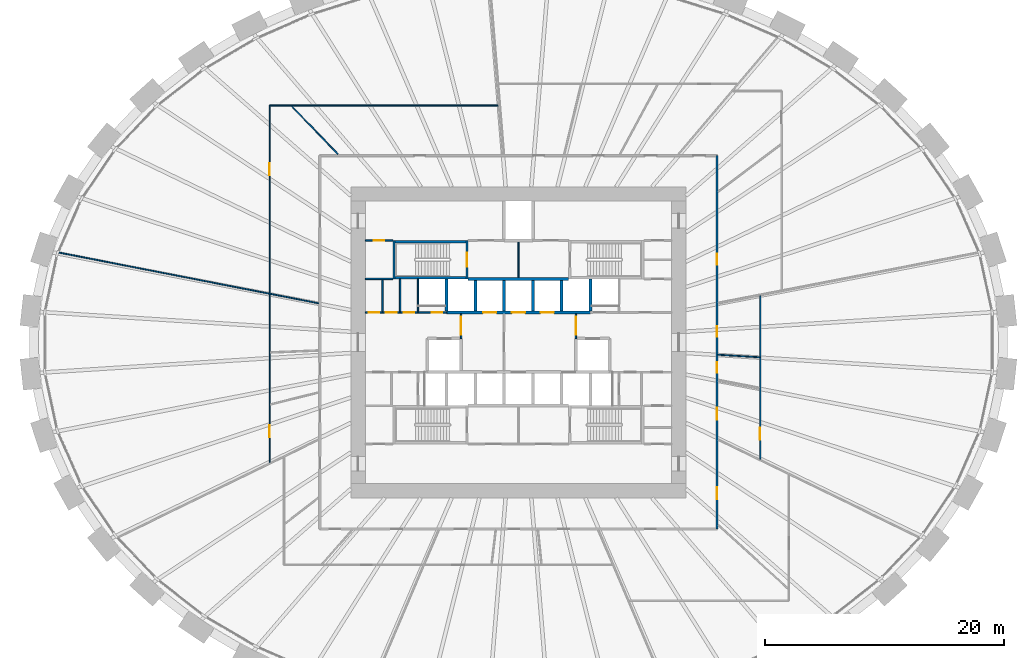
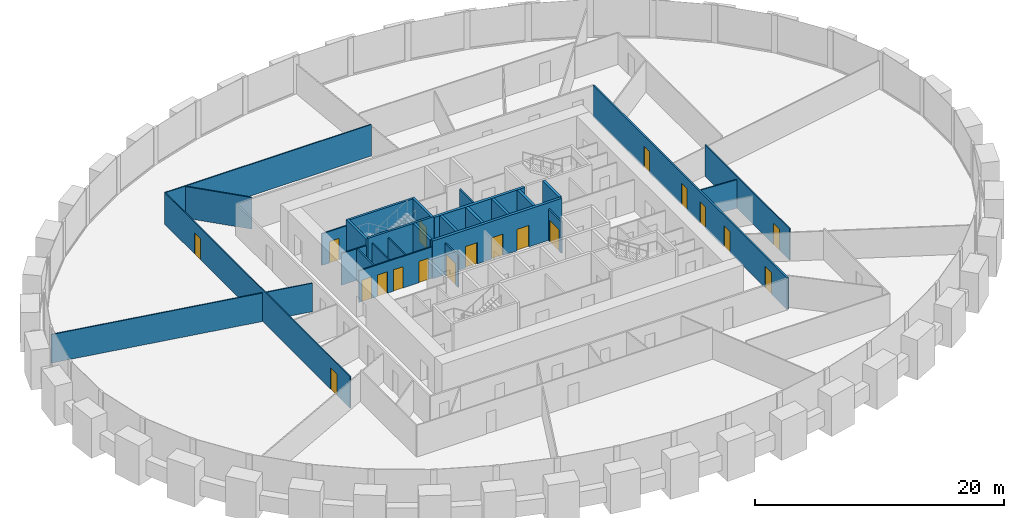
# One storey, part 8 of 11: 28 walls, 19 doors, 19 openings.
"""IFC4 building model written with IfcOpenShell, lengths in metres."""

from ifc_helpers import new_model, si_unit, direction, frame, frame_2d, origin, place, context, subcontext, project, spatial, rectangle, extrude, source, transform, mapped, material, layer, layer_set, type_object, element, fill, save


model = new_model("IFC4")

# Units and contexts
model_context = context("Model", 3, precision=1e-05, world=origin(), true_north=direction((0.0, 1.0)))
body_context = subcontext(model_context, "Body", "Model", "MODEL_VIEW")
ifc_project = project(units=[si_unit("LENGTHUNIT", "METRE"), si_unit("AREAUNIT", "SQUARE_METRE"), si_unit("VOLUMEUNIT", "CUBIC_METRE"), si_unit("PLANEANGLEUNIT", "RADIAN"), si_unit("MASSUNIT", "GRAM", prefix="KILO")], contexts=[model_context])

# Site, building, storey
site_placement = place(None, origin())
site = spatial("IfcSite", under=ifc_project, at=site_placement, CompositionType="ELEMENT")
building_placement = place(site_placement, origin())
building = spatial("IfcBuilding", under=site, at=building_placement, Name="Embergate Tower", CompositionType="ELEMENT")
storey_placement = place(building_placement, frame((0.0, 0.0, 77.60009765625)))
storey = spatial("IfcBuildingStorey", under=building, at=storey_placement, Name="L15", CompositionType="ELEMENT", Elevation=77.60009765625)

# Walls
ifc_material_1 = material(Name="Concrete C50", Category="concrete")
ifc_layer_1 = layer(ifc_material_1, 0.25)
ifc_layer_set_1 = layer_set([ifc_layer_1], Name="Concrete C50")
wall_type_1 = type_object("IfcWallType", Name="Hoistway wall reinforced concrete 250", PredefinedType="SHEAR", material=ifc_layer_set_1)
shared_shape_1 = source(origin(), body_context, "Body", "SweptSolid", [
    extrude(rectangle(XDim=2.675048828125, YDim=0.25, at=frame_2d((1.33740234375, 0.0))), origin(), (0.0, 0.0, 1.0), 3.699951171875),
])
for number, where, z_axis, x_axis, name in (
    (1, (-6.0, 2.625, 0.0), (0.0, 0.0, 1.0), (0.0, 1.0, 0.0), "HW-1 wall"),
    (2, (6.0, 2.625, 0.0), (0.0, 0.0, 1.0), (0.0, 1.0, 0.0), "HW-1 wall"),
):
    element("IfcWall", number, at=place(storey_placement, frame(where, z_axis=z_axis, x_axis=x_axis)), inside=storey, type_object=wall_type_1, Name=name, PredefinedType="SHEAR", context=body_context, shape_type="MappedRepresentation", body=[
        mapped(shared_shape_1, transform((0.0, 0.0, 0.0))),
    ])
ifc_layer_2 = layer(ifc_material_1, 0.199951171875)
ifc_layer_set_2 = layer_set([ifc_layer_2], Name="Concrete C50")
wall_type_2 = type_object("IfcWallType", Name="Stair enclosure wall reinforced concrete 250", PredefinedType="SHEAR", material=ifc_layer_set_2)
shared_shape_2 = source(origin(), body_context, "Body", "SweptSolid", [
    extrude(rectangle(XDim=6.300048828125, YDim=0.199951171875, at=frame_2d((3.14990234375, 0.0))), origin(), (0.0, 0.0, 1.0), 3.699951171875),
])
for number, where, z_axis, x_axis, name in (
    (3, (-4.199951171875, 5.39990234375, 0.0), (0.0, 0.0, 1.0), (-1.0, 0.0, 0.0), "SE-1 wall"),
    (4, (-4.199951171875, 8.39990234375, 0.0), (0.0, 0.0, 1.0), (-1.0, 0.0, 0.0), "SE-1 wall"),
):
    element("IfcWall", number, at=place(storey_placement, frame(where, z_axis=z_axis, x_axis=x_axis)), inside=storey, type_object=wall_type_2, Name=name, PredefinedType="SHEAR", context=body_context, shape_type="MappedRepresentation", body=[
        mapped(shared_shape_2, transform((0.0, 0.0, 0.0))),
    ])
shared_shape_3 = source(origin(), body_context, "Body", "SweptSolid", [
    extrude(rectangle(XDim=2.550048828125, YDim=0.25, at=frame_2d((1.27490234375, 0.0))), origin(), (0.0, 0.0, 1.0), 3.699951171875),
])
for number, where, z_axis, x_axis, name in (
    (5, (-3.60009765625, 2.625, 0.0), (0.0, 0.0, 1.0), (0.0, 1.0, 0.0), "HW-1 wall"),
    (6, (-1.199951171875, 2.625, 0.0), (0.0, 0.0, 1.0), (0.0, 1.0, 0.0), "HW-1 wall"),
    (7, (1.199951171875, 2.625, 0.0), (0.0, 0.0, 1.0), (0.0, 1.0, 0.0), "HW-1 wall"),
    (8, (3.60009765625, 2.625, 0.0), (0.0, 0.0, 1.0), (0.0, 1.0, 0.0), "HW-1 wall"),
):
    element("IfcWall", number, at=place(storey_placement, frame(where, z_axis=z_axis, x_axis=x_axis)), inside=storey, type_object=wall_type_1, Name=name, PredefinedType="SHEAR", context=body_context, shape_type="MappedRepresentation", body=[
        mapped(shared_shape_3, transform((0.0, 0.0, 0.0))),
    ])

# Wall, openings, doors
shared_shape_4 = source(origin(), body_context, "Body", "SweptSolid", [
    extrude(rectangle(XDim=12.0, YDim=0.25, at=frame_2d((6.0, 0.0))), origin(), (0.0, 0.0, 1.0), 3.699951171875),
])
wall_1_placement = place(storey_placement, frame((-6.0, 2.5, 0.0), z_axis=(0.0, 0.0, 1.0), x_axis=(1.0, 0.0, 0.0)))
wall_1 = element("IfcWall", 9, at=wall_1_placement, inside=storey, type_object=wall_type_1, Name="HW-1 wall", PredefinedType="SHEAR", context=body_context, shape_type="MappedRepresentation", body=[
    mapped(shared_shape_4, transform((0.0, 0.0, 0.0))),
])
shared_shape_5 = source(origin(), body_context, "Body", "SweptSolid", [
    extrude(rectangle(XDim=1.10009765625, YDim=2.10009765625, at=frame_2d((0.550048828125, 1.050048828125))), frame((0.0, 0.135009765625, 0.0), z_axis=(0.0, -1.0, 0.0), x_axis=(1.0, 0.0, 0.0)), (0.0, 0.0, 1.0), 0.27001953125),
])
opening_1_placement = place(wall_1_placement, frame((3.050048828125, 0.0, 0.0)))
opening_1 = element("IfcOpeningElement", 10, at=opening_1_placement, cuts=wall_1, Name="Opening LD", PredefinedType="OPENING", context=body_context, shape_type="MappedRepresentation", body=[
    mapped(shared_shape_5, transform((0.0, 0.0, 0.0))),
])
opening_2_placement = place(wall_1_placement, frame((5.449951171875, 0.0, 0.0)))
opening_2 = element("IfcOpeningElement", 11, at=opening_2_placement, cuts=wall_1, Name="Opening LD", PredefinedType="OPENING", context=body_context, shape_type="MappedRepresentation", body=[
    mapped(shared_shape_5, transform((0.0, 0.0, 0.0))),
])
opening_3_placement = place(wall_1_placement, frame((7.85009765625, 0.0, 0.0)))
opening_3 = element("IfcOpeningElement", 12, at=opening_3_placement, cuts=wall_1, Name="Opening LD", PredefinedType="OPENING", context=body_context, shape_type="MappedRepresentation", body=[
    mapped(shared_shape_5, transform((0.0, 0.0, 0.0))),
])
ifc_material_2 = material(Name="Landing door sliding 1100")
door_type_1 = type_object("IfcDoorType", Name="Landing door sliding 1100", OperationType="SLIDING_TO_LEFT", PredefinedType="DOOR", material=ifc_material_2)
shared_shape_6 = source(origin(), body_context, "Body", "SweptSolid", [
    extrude(rectangle(XDim=1.10009765625, YDim=2.10009765625, at=frame_2d((0.550048828125, 1.050048828125))), frame((0.0, 0.02490234375, 0.0), z_axis=(0.0, -1.0, 0.0), x_axis=(1.0, 0.0, 0.0)), (0.0, 0.0, 1.0), 0.050048828125),
])
door_1_placement = place(opening_1_placement, origin())
door_1 = element("IfcDoor", 13, at=door_1_placement, inside=storey, type_object=door_type_1, Name="LD door", OperationType="SLIDING_TO_RIGHT", OverallHeight=2.10009765625, OverallWidth=1.10009765625, PredefinedType="DOOR", context=body_context, shape_type="MappedRepresentation", body=[
    mapped(shared_shape_6, transform((0.0, 0.0, 0.0))),
])
fill(opening_1, door_1)
door_2_placement = place(opening_2_placement, origin())
door_2 = element("IfcDoor", 14, at=door_2_placement, inside=storey, type_object=door_type_1, Name="LD door", OperationType="SLIDING_TO_LEFT", OverallHeight=2.10009765625, OverallWidth=1.10009765625, PredefinedType="DOOR", context=body_context, shape_type="MappedRepresentation", body=[
    mapped(shared_shape_6, transform((0.0, 0.0, 0.0))),
])
fill(opening_2, door_2)
door_3_placement = place(opening_3_placement, origin())
door_3 = element("IfcDoor", 15, at=door_3_placement, inside=storey, type_object=door_type_1, Name="LD door", OperationType="SLIDING_TO_LEFT", OverallHeight=2.10009765625, OverallWidth=1.10009765625, PredefinedType="DOOR", context=body_context, shape_type="MappedRepresentation", body=[
    mapped(shared_shape_6, transform((0.0, 0.0, 0.0))),
])
fill(opening_3, door_3)

# Wall
shared_shape_7 = source(origin(), body_context, "Body", "SweptSolid", [
    extrude(rectangle(XDim=8.39990234375, YDim=0.25, at=frame_2d((4.199951171875, 0.0))), origin(), (0.0, 0.0, 1.0), 3.699951171875),
])
wall_2_placement = place(storey_placement, frame((4.199951171875, 5.300048828125, 0.0), z_axis=(0.0, 0.0, 1.0), x_axis=(-1.0, 0.0, 0.0)))
element("IfcWall", 16, at=wall_2_placement, inside=storey, type_object=wall_type_1, Name="HW-1 wall", PredefinedType="SHEAR", context=body_context, shape_type="MappedRepresentation", body=[
    mapped(shared_shape_7, transform((0.0, 0.0, 0.0))),
])

# Wall, opening, door
shared_shape_8 = source(origin(), body_context, "Body", "SweptSolid", [
    extrude(rectangle(XDim=3.199951171875, YDim=0.199951171875, at=frame_2d((1.60009765625, 0.0))), origin(), (0.0, 0.0, 1.0), 3.699951171875),
])
wall_3_placement = place(storey_placement, frame((-4.300048828125, 5.300048828125, 0.0), z_axis=(0.0, 0.0, 1.0), x_axis=(0.0, 1.0, 0.0)))
wall_3 = element("IfcWall", 17, at=wall_3_placement, inside=storey, type_object=wall_type_2, Name="SE-1 wall", PredefinedType="SHEAR", context=body_context, shape_type="MappedRepresentation", body=[
    mapped(shared_shape_8, transform((0.0, 0.0, 0.0))),
])
shared_shape_9 = source(origin(), body_context, "Body", "SweptSolid", [
    extrude(rectangle(XDim=1.199951171875, YDim=2.10009765625, at=frame_2d((0.60009765625, 1.050048828125))), frame((0.0, 0.10986328125, 0.0), z_axis=(0.0, -1.0, 0.0), x_axis=(1.0, 0.0, 0.0)), (0.0, 0.0, 1.0), 0.219970703125),
])
opening_4_placement = place(wall_3_placement, frame((1.0, 0.0, 0.0)))
opening_4 = element("IfcOpeningElement", 18, at=opening_4_placement, cuts=wall_3, Name="Opening IF-2", PredefinedType="OPENING", context=body_context, shape_type="MappedRepresentation", body=[
    mapped(shared_shape_9, transform((0.0, 0.0, 0.0))),
])
ifc_material_3 = material(Name="Stair enclosure door 1200")
door_type_2 = type_object("IfcDoorType", Name="Stair enclosure door 1200", OperationType="SINGLE_SWING_LEFT", PredefinedType="DOOR", material=ifc_material_3)
shared_shape_10 = source(origin(), body_context, "Body", "SweptSolid", [
    extrude(rectangle(XDim=1.199951171875, YDim=2.10009765625, at=frame_2d((0.60009765625, 1.050048828125))), frame((0.0, 0.02490234375, 0.0), z_axis=(0.0, -1.0, 0.0), x_axis=(1.0, 0.0, 0.0)), (0.0, 0.0, 1.0), 0.050048828125),
])
door_4_placement = place(opening_4_placement, origin())
door_4 = element("IfcDoor", 19, at=door_4_placement, inside=storey, type_object=door_type_2, Name="IF-2 door", OperationType="SINGLE_SWING_RIGHT", OverallHeight=2.10009765625, OverallWidth=1.199951171875, PredefinedType="DOOR", context=body_context, shape_type="MappedRepresentation", body=[
    mapped(shared_shape_10, transform((0.0, 0.0, 0.0))),
])
fill(opening_4, door_4)

# Wall
wall_4_placement = place(storey_placement, frame((-10.39990234375, 8.5, 0.0), z_axis=(0.0, 0.0, 1.0), x_axis=(0.0, -1.0, 0.0)))
element("IfcWall", 20, at=wall_4_placement, inside=storey, type_object=wall_type_2, Name="SE-1 wall", PredefinedType="SHEAR", context=body_context, shape_type="MappedRepresentation", body=[
    mapped(shared_shape_8, transform((0.0, 0.0, 0.0))),
])

# Wall, openings, doors
ifc_material_4 = material(Name="Core partition blockwork 120")
ifc_layer_3 = layer(ifc_material_4, 0.1201171875)
ifc_layer_set_3 = layer_set([ifc_layer_3], Name="Core partition blockwork 120")
wall_type_3 = type_object("IfcWallType", Name="Core partition blockwork 120", PredefinedType="PARTITIONING", material=ifc_layer_set_3)
shared_shape_11 = source(origin(), body_context, "Body", "SweptSolid", [
    extrude(rectangle(XDim=6.800048828125, YDim=0.1201171875, at=frame_2d((3.39990234375, 0.0))), origin(), (0.0, 0.0, 1.0), 3.099853515625),
])
wall_5_placement = place(storey_placement, frame((-12.800048828125, 2.5, 0.0), z_axis=(0.0, 0.0, 1.0), x_axis=(1.0, 0.0, 0.0)))
wall_5 = element("IfcWall", 21, at=wall_5_placement, inside=storey, type_object=wall_type_3, Name="IP-3 wall", PredefinedType="PARTITIONING", context=body_context, shape_type="MappedRepresentation", body=[
    mapped(shared_shape_11, transform((0.0, 0.0, 0.0))),
])
shared_shape_12 = source(origin(), body_context, "Body", "SweptSolid", [
    extrude(rectangle(XDim=0.89990234375, YDim=2.10009765625, at=frame_2d((0.449951171875, 1.050048828125))), frame((0.0, 0.070068359375, 0.0), z_axis=(0.0, -1.0, 0.0), x_axis=(1.0, 0.0, 0.0)), (0.0, 0.0, 1.0), 0.14013671875),
])
opening_5_placement = place(wall_5_placement, frame((5.550048828125, 0.0, 0.0)))
opening_5 = element("IfcOpeningElement", 22, at=opening_5_placement, cuts=wall_5, Name="Opening ID-1", PredefinedType="OPENING", context=body_context, shape_type="MappedRepresentation", body=[
    mapped(shared_shape_12, transform((0.0, 0.0, 0.0))),
])
opening_6_placement = place(wall_5_placement, frame((0.27587890625, 0.0, 0.0)))
opening_6 = element("IfcOpeningElement", 23, at=opening_6_placement, cuts=wall_5, Name="Opening ID-1", PredefinedType="OPENING", context=body_context, shape_type="MappedRepresentation", body=[
    mapped(shared_shape_12, transform((0.0, 0.0, 0.0))),
])
opening_7_placement = place(wall_5_placement, frame((1.72802734375, 0.0, 0.0)))
opening_7 = element("IfcOpeningElement", 24, at=opening_7_placement, cuts=wall_5, Name="Opening ID-1", PredefinedType="OPENING", context=body_context, shape_type="MappedRepresentation", body=[
    mapped(shared_shape_12, transform((0.0, 0.0, 0.0))),
])
opening_8_placement = place(wall_5_placement, frame((3.201904296875, 0.0, 0.0)))
opening_8 = element("IfcOpeningElement", 25, at=opening_8_placement, cuts=wall_5, Name="Opening ID-1", PredefinedType="OPENING", context=body_context, shape_type="MappedRepresentation", body=[
    mapped(shared_shape_12, transform((0.0, 0.0, 0.0))),
])
ifc_material_5 = material(Name="Interior door 900")
door_type_3 = type_object("IfcDoorType", Name="Interior door 900", OperationType="SINGLE_SWING_LEFT", PredefinedType="DOOR", material=ifc_material_5)
shared_shape_13 = source(origin(), body_context, "Body", "SweptSolid", [
    extrude(rectangle(XDim=0.89990234375, YDim=2.10009765625, at=frame_2d((0.449951171875, 1.050048828125))), frame((0.0, 0.02490234375, 0.0), z_axis=(0.0, -1.0, 0.0), x_axis=(1.0, 0.0, 0.0)), (0.0, 0.0, 1.0), 0.050048828125),
])
door_5_placement = place(opening_5_placement, origin())
door_5 = element("IfcDoor", 26, at=door_5_placement, inside=storey, type_object=door_type_3, Name="ID-1 door", OperationType="SINGLE_SWING_RIGHT", OverallHeight=2.10009765625, OverallWidth=0.89990234375, PredefinedType="DOOR", context=body_context, shape_type="MappedRepresentation", body=[
    mapped(shared_shape_13, transform((0.0, 0.0, 0.0))),
])
fill(opening_5, door_5)
door_6_placement = place(opening_6_placement, origin())
door_6 = element("IfcDoor", 27, at=door_6_placement, inside=storey, type_object=door_type_3, Name="ID-1 door", OperationType="SINGLE_SWING_RIGHT", OverallHeight=2.10009765625, OverallWidth=0.89990234375, PredefinedType="DOOR", context=body_context, shape_type="MappedRepresentation", body=[
    mapped(shared_shape_13, transform((0.0, 0.0, 0.0))),
])
fill(opening_6, door_6)
door_7_placement = place(opening_7_placement, origin())
door_7 = element("IfcDoor", 28, at=door_7_placement, inside=storey, type_object=door_type_3, Name="ID-1 door", OperationType="SINGLE_SWING_RIGHT", OverallHeight=2.10009765625, OverallWidth=0.89990234375, PredefinedType="DOOR", context=body_context, shape_type="MappedRepresentation", body=[
    mapped(shared_shape_13, transform((0.0, 0.0, 0.0))),
])
fill(opening_7, door_7)
door_8_placement = place(opening_8_placement, origin())
door_8 = element("IfcDoor", 29, at=door_8_placement, inside=storey, type_object=door_type_3, Name="ID-1 door", OperationType="SINGLE_SWING_LEFT", OverallHeight=2.10009765625, OverallWidth=0.89990234375, PredefinedType="DOOR", context=body_context, shape_type="MappedRepresentation", body=[
    mapped(shared_shape_13, transform((0.0, 0.0, 0.0))),
])
fill(opening_8, door_8)

# Walls
shared_shape_14 = source(origin(), body_context, "Body", "SweptSolid", [
    extrude(rectangle(XDim=2.739990234375, YDim=0.1201171875, at=frame_2d((1.3701171875, 0.0))), origin(), (0.0, 0.0, 1.0), 3.099853515625),
])
for number, where, z_axis, x_axis, name in (
    (30, (-8.39990234375, 5.300048828125, 0.0), (0.0, 0.0, 1.0), (0.0, -1.0, 0.0), "IP-3 wall"),
    (31, (-9.89599609375, 2.56005859375, 0.0), (0.0, 0.0, 1.0), (0.0, 1.0, 0.0), "IP-3 wall"),
):
    element("IfcWall", number, at=place(storey_placement, frame(where, z_axis=z_axis, x_axis=x_axis)), inside=storey, type_object=wall_type_3, Name=name, PredefinedType="PARTITIONING", context=body_context, shape_type="MappedRepresentation", body=[
        mapped(shared_shape_14, transform((0.0, 0.0, 0.0))),
    ])

# Wall, opening, door
shared_shape_15 = source(origin(), body_context, "Body", "SweptSolid", [
    extrude(rectangle(XDim=2.074951171875, YDim=0.1201171875, at=frame_2d((1.03759765625, 0.0))), origin(), (0.0, 0.0, 1.0), 3.099853515625),
])
wall_6_placement = place(storey_placement, frame((-4.800048828125, 2.375, 0.0), z_axis=(0.0, 0.0, 1.0), x_axis=(0.0, -1.0, 0.0)))
wall_6 = element("IfcWall", 32, at=wall_6_placement, inside=storey, type_object=wall_type_3, Name="IP-3 wall", PredefinedType="PARTITIONING", context=body_context, shape_type="MappedRepresentation", body=[
    mapped(shared_shape_15, transform((0.0, 0.0, 0.0))),
])
shared_shape_16 = source(origin(), body_context, "Body", "SweptSolid", [
    extrude(rectangle(XDim=1.5, YDim=2.10009765625, at=frame_2d((0.75, 1.050048828125))), frame((0.0, 0.070068359375, 0.0), z_axis=(0.0, -1.0, 0.0), x_axis=(1.0, 0.0, 0.0)), (0.0, 0.0, 1.0), 0.14013671875),
])
opening_9_placement = place(wall_6_placement, frame((0.22509765625, 0.0, 0.0)))
opening_9 = element("IfcOpeningElement", 33, at=opening_9_placement, cuts=wall_6, Name="Opening IF-3", PredefinedType="OPENING", context=body_context, shape_type="MappedRepresentation", body=[
    mapped(shared_shape_16, transform((0.0, 0.0, 0.0))),
])
ifc_material_6 = material(Name="Lobby fire door pair 1500")
door_type_4 = type_object("IfcDoorType", Name="Lobby fire door pair 1500", OperationType="DOUBLE_DOOR_SINGLE_SWING", PredefinedType="DOOR", material=ifc_material_6)
shared_shape_17 = source(origin(), body_context, "Body", "SweptSolid", [
    extrude(rectangle(XDim=1.5, YDim=2.10009765625, at=frame_2d((0.75, 1.050048828125))), frame((0.0, 0.02490234375, 0.0), z_axis=(0.0, -1.0, 0.0), x_axis=(1.0, 0.0, 0.0)), (0.0, 0.0, 1.0), 0.050048828125),
])
door_9_placement = place(opening_9_placement, origin())
door_9 = element("IfcDoor", 34, at=door_9_placement, inside=storey, type_object=door_type_4, Name="IF-3 door", OperationType="DOUBLE_DOOR_SINGLE_SWING", OverallHeight=2.10009765625, OverallWidth=1.5, PredefinedType="DOOR", context=body_context, shape_type="MappedRepresentation", body=[
    mapped(shared_shape_17, transform((0.0, 0.0, 0.0))),
])
fill(opening_9, door_9)

wall_7_placement = place(storey_placement, frame((4.800048828125, 0.300048828125, 0.0), z_axis=(0.0, 0.0, 1.0), x_axis=(0.0, 1.0, 0.0)))
wall_7 = element("IfcWall", 35, at=wall_7_placement, inside=storey, type_object=wall_type_3, Name="IP-3 wall", PredefinedType="PARTITIONING", context=body_context, shape_type="MappedRepresentation", body=[
    mapped(shared_shape_15, transform((0.0, 0.0, 0.0))),
])
opening_10_placement = place(wall_7_placement, frame((0.35009765625, 0.0, 0.0)))
opening_10 = element("IfcOpeningElement", 36, at=opening_10_placement, cuts=wall_7, Name="Opening IF-3", PredefinedType="OPENING", context=body_context, shape_type="MappedRepresentation", body=[
    mapped(shared_shape_16, transform((0.0, 0.0, 0.0))),
])
door_10_placement = place(opening_10_placement, origin())
door_10 = element("IfcDoor", 37, at=door_10_placement, inside=storey, type_object=door_type_4, Name="IF-3 door", OperationType="DOUBLE_DOOR_SINGLE_SWING", OverallHeight=2.10009765625, OverallWidth=1.5, PredefinedType="DOOR", context=body_context, shape_type="MappedRepresentation", body=[
    mapped(shared_shape_17, transform((0.0, 0.0, 0.0))),
])
fill(opening_10, door_10)

# Wall
shared_shape_18 = source(origin(), body_context, "Body", "SweptSolid", [
    extrude(rectangle(XDim=2.949951171875, YDim=0.1201171875, at=frame_2d((1.47509765625, 0.0))), origin(), (0.0, 0.0, 1.0), 3.099853515625),
])
wall_8_placement = place(storey_placement, frame((0.0, 5.425048828125, 0.0), z_axis=(0.0, 0.0, 1.0), x_axis=(0.0, 1.0, 0.0)))
element("IfcWall", 38, at=wall_8_placement, inside=storey, type_object=wall_type_3, Name="IP-3 wall", PredefinedType="PARTITIONING", context=body_context, shape_type="MappedRepresentation", body=[
    mapped(shared_shape_18, transform((0.0, 0.0, 0.0))),
])

# Wall, opening, door
shared_shape_19 = source(origin(), body_context, "Body", "SweptSolid", [
    extrude(rectangle(XDim=2.300048828125, YDim=0.1201171875, at=frame_2d((1.14990234375, 0.0))), origin(), (0.0, 0.0, 1.0), 3.099853515625),
])
wall_9_placement = place(storey_placement, frame((-12.800048828125, 8.5, 0.0), z_axis=(0.0, 0.0, 1.0), x_axis=(1.0, 0.0, 0.0)))
wall_9 = element("IfcWall", 39, at=wall_9_placement, inside=storey, type_object=wall_type_3, Name="IP-3 wall", PredefinedType="PARTITIONING", context=body_context, shape_type="MappedRepresentation", body=[
    mapped(shared_shape_19, transform((0.0, 0.0, 0.0))),
])
opening_11_placement = place(wall_9_placement, frame((0.699951171875, 0.0, 0.0)))
opening_11 = element("IfcOpeningElement", 40, at=opening_11_placement, cuts=wall_9, Name="Opening ID-1", PredefinedType="OPENING", context=body_context, shape_type="MappedRepresentation", body=[
    mapped(shared_shape_12, transform((0.0, 0.0, 0.0))),
])
door_11_placement = place(opening_11_placement, origin())
door_11 = element("IfcDoor", 41, at=door_11_placement, inside=storey, type_object=door_type_3, Name="ID-1 door", OperationType="SINGLE_SWING_LEFT", OverallHeight=2.10009765625, OverallWidth=0.89990234375, PredefinedType="DOOR", context=body_context, shape_type="MappedRepresentation", body=[
    mapped(shared_shape_13, transform((0.0, 0.0, 0.0))),
])
fill(opening_11, door_11)

# Walls
wall_10_placement = place(storey_placement, frame((-10.5, 5.300048828125, 0.0), z_axis=(0.0, 0.0, 1.0), x_axis=(-1.0, 0.0, 0.0)))
element("IfcWall", 42, at=wall_10_placement, inside=storey, type_object=wall_type_3, Name="IP-3 wall", PredefinedType="PARTITIONING", context=body_context, shape_type="MappedRepresentation", body=[
    mapped(shared_shape_19, transform((0.0, 0.0, 0.0))),
])
shared_shape_20 = source(origin(), body_context, "Body", "SweptSolid", [
    extrude(rectangle(XDim=2.679931640625, YDim=0.1201171875, at=frame_2d((1.33984375, 0.0))), origin(), (0.0, 0.0, 1.0), 3.099853515625),
])
wall_11_placement = place(storey_placement, frame((-11.347900390625, 2.56005859375, 0.0), z_axis=(0.0, 0.0, 1.0), x_axis=(0.0, 1.0, 0.0)))
element("IfcWall", 43, at=wall_11_placement, inside=storey, type_object=wall_type_3, Name="IP-3 wall", PredefinedType="PARTITIONING", context=body_context, shape_type="MappedRepresentation", body=[
    mapped(shared_shape_20, transform((0.0, 0.0, 0.0))),
])

# Wall, openings, doors
ifc_material_7 = material(Name="Corridor wall dry-lined 150")
ifc_layer_4 = layer(ifc_material_7, 0.14990234375)
ifc_layer_set_4 = layer_set([ifc_layer_4], Name="Corridor wall dry-lined 150")
wall_type_4 = type_object("IfcWallType", Name="Corridor wall dry-lined 150", PredefinedType="PARTITIONING", material=ifc_layer_set_4)
shared_shape_21 = source(origin(), body_context, "Body", "SweptSolid", [
    extrude(rectangle(XDim=31.2001953125, YDim=0.14990234375, at=frame_2d((15.60009765625, 0.0))), origin(), (0.0, 0.0, 1.0), 3.099853515625),
])
wall_12_placement = place(storey_placement, frame((16.60009765625, 15.60009765625, 0.0), z_axis=(0.0, 0.0, 1.0), x_axis=(0.0, -1.0, 0.0)))
wall_12 = element("IfcWall", 44, at=wall_12_placement, inside=storey, type_object=wall_type_4, Name="IP-2 wall", PredefinedType="PARTITIONING", context=body_context, shape_type="MappedRepresentation", body=[
    mapped(shared_shape_21, transform((0.0, 0.0, 0.0))),
])
shared_shape_22 = source(origin(), body_context, "Body", "SweptSolid", [
    extrude(rectangle(XDim=1.0, YDim=2.10009765625, at=frame_2d((0.5, 1.050048828125))), frame((0.0, 0.0849609375, 0.0), z_axis=(0.0, -1.0, 0.0), x_axis=(1.0, 0.0, 0.0)), (0.0, 0.0, 1.0), 0.169921875),
])
opening_12_placement = place(wall_12_placement, frame((27.712890625, 0.0, 0.0)))
opening_12 = element("IfcOpeningElement", 45, at=opening_12_placement, cuts=wall_12, Name="Opening ID-2", PredefinedType="OPENING", context=body_context, shape_type="MappedRepresentation", body=[
    mapped(shared_shape_22, transform((0.0, 0.0, 0.0))),
])
opening_13_placement = place(wall_12_placement, frame((21.06201171875, 0.0, 0.0)))
opening_13 = element("IfcOpeningElement", 46, at=opening_13_placement, cuts=wall_12, Name="Opening ID-2", PredefinedType="OPENING", context=body_context, shape_type="MappedRepresentation", body=[
    mapped(shared_shape_22, transform((0.0, 0.0, 0.0))),
])
shared_shape_23 = source(origin(), body_context, "Body", "SweptSolid", [
    extrude(rectangle(XDim=0.89990234375, YDim=2.10009765625, at=frame_2d((0.449951171875, 1.050048828125))), frame((0.0, 0.0849609375, 0.0), z_axis=(0.0, -1.0, 0.0), x_axis=(1.0, 0.0, 0.0)), (0.0, 0.0, 1.0), 0.169921875),
])
opening_14_placement = place(wall_12_placement, frame((17.2490234375, 0.0, 0.0)))
opening_14 = element("IfcOpeningElement", 47, at=opening_14_placement, cuts=wall_12, Name="Opening IF-1c", PredefinedType="OPENING", context=body_context, shape_type="MappedRepresentation", body=[
    mapped(shared_shape_23, transform((0.0, 0.0, 0.0))),
])
opening_15_placement = place(wall_12_placement, frame((14.237060546875, 0.0, 0.0)))
opening_15 = element("IfcOpeningElement", 48, at=opening_15_placement, cuts=wall_12, Name="Opening IF-1c", PredefinedType="OPENING", context=body_context, shape_type="MappedRepresentation", body=[
    mapped(shared_shape_23, transform((0.0, 0.0, 0.0))),
])
opening_16_placement = place(wall_12_placement, frame((8.201904296875, 0.0, 0.0)))
opening_16 = element("IfcOpeningElement", 49, at=opening_16_placement, cuts=wall_12, Name="Opening IF-1c", PredefinedType="OPENING", context=body_context, shape_type="MappedRepresentation", body=[
    mapped(shared_shape_23, transform((0.0, 0.0, 0.0))),
])
ifc_material_8 = material(Name="Escape fire door 900")
door_type_5 = type_object("IfcDoorType", Name="Escape fire door 900", OperationType="SINGLE_SWING_LEFT", PredefinedType="DOOR", material=ifc_material_8)
door_12_placement = place(opening_14_placement, origin())
door_12 = element("IfcDoor", 50, at=door_12_placement, inside=storey, type_object=door_type_5, Name="IF-1 door", OperationType="SINGLE_SWING_LEFT", OverallHeight=2.10009765625, OverallWidth=0.89990234375, PredefinedType="DOOR", context=body_context, shape_type="MappedRepresentation", body=[
    mapped(shared_shape_13, transform((0.0, 0.0, 0.0))),
])
fill(opening_14, door_12)
door_13_placement = place(opening_15_placement, origin())
door_13 = element("IfcDoor", 51, at=door_13_placement, inside=storey, type_object=door_type_5, Name="IF-1 door", OperationType="SINGLE_SWING_LEFT", OverallHeight=2.10009765625, OverallWidth=0.89990234375, PredefinedType="DOOR", context=body_context, shape_type="MappedRepresentation", body=[
    mapped(shared_shape_13, transform((0.0, 0.0, 0.0))),
])
fill(opening_15, door_13)
door_14_placement = place(opening_16_placement, origin())
door_14 = element("IfcDoor", 52, at=door_14_placement, inside=storey, type_object=door_type_5, Name="IF-1 door", OperationType="SINGLE_SWING_RIGHT", OverallHeight=2.10009765625, OverallWidth=0.89990234375, PredefinedType="DOOR", context=body_context, shape_type="MappedRepresentation", body=[
    mapped(shared_shape_13, transform((0.0, 0.0, 0.0))),
])
fill(opening_16, door_14)
ifc_material_9 = material(Name="Interior door 1000")
door_type_6 = type_object("IfcDoorType", Name="Interior door 1000", OperationType="SINGLE_SWING_LEFT", PredefinedType="DOOR", material=ifc_material_9)
shared_shape_24 = source(origin(), body_context, "Body", "SweptSolid", [
    extrude(rectangle(XDim=1.0, YDim=2.10009765625, at=frame_2d((0.5, 1.050048828125))), frame((0.0, 0.02490234375, 0.0), z_axis=(0.0, -1.0, 0.0), x_axis=(1.0, 0.0, 0.0)), (0.0, 0.0, 1.0), 0.050048828125),
])
door_15_placement = place(opening_12_placement, origin())
door_15 = element("IfcDoor", 53, at=door_15_placement, inside=storey, type_object=door_type_6, Name="ID-2 door", OperationType="SINGLE_SWING_RIGHT", OverallHeight=2.10009765625, OverallWidth=1.0, PredefinedType="DOOR", context=body_context, shape_type="MappedRepresentation", body=[
    mapped(shared_shape_24, transform((0.0, 0.0, 0.0))),
])
fill(opening_12, door_15)
door_16_placement = place(opening_13_placement, origin())
door_16 = element("IfcDoor", 54, at=door_16_placement, inside=storey, type_object=door_type_6, Name="ID-2 door", OperationType="SINGLE_SWING_LEFT", OverallHeight=2.10009765625, OverallWidth=1.0, PredefinedType="DOOR", context=body_context, shape_type="MappedRepresentation", body=[
    mapped(shared_shape_24, transform((0.0, 0.0, 0.0))),
])
fill(opening_13, door_16)

# Wall, opening, door
ifc_material_10 = material(Name="Partition dry-lined 100")
ifc_layer_5 = layer(ifc_material_10, 0.10009765625)
ifc_layer_set_5 = layer_set([ifc_layer_5], Name="Partition dry-lined 100")
wall_type_5 = type_object("IfcWallType", Name="Partition dry-lined 100", PredefinedType="PARTITIONING", material=ifc_layer_set_5)
shared_shape_25 = source(origin(), body_context, "Body", "SweptSolid", [
    extrude(rectangle(XDim=13.640869140625, YDim=0.10009765625, at=frame_2d((6.8203125, 0.0))), origin(), (0.0, 0.0, 1.0), 3.099853515625),
])
wall_13_placement = place(storey_placement, frame((20.199951171875, -9.7548828125, 0.0), z_axis=(0.0, 0.0, 1.0), x_axis=(0.0, 1.0, 0.0)))
wall_13 = element("IfcWall", 55, at=wall_13_placement, inside=storey, type_object=wall_type_5, Name="IP-1 wall", PredefinedType="PARTITIONING", context=body_context, shape_type="MappedRepresentation", body=[
    mapped(shared_shape_25, transform((0.0, 0.0, 0.0))),
])
shared_shape_26 = source(origin(), body_context, "Body", "SweptSolid", [
    extrude(rectangle(XDim=1.0, YDim=2.10009765625, at=frame_2d((0.5, 1.050048828125))), frame((0.0, 0.06005859375, 0.0), z_axis=(0.0, -1.0, 0.0), x_axis=(1.0, 0.0, 0.0)), (0.0, 0.0, 1.0), 0.1201171875),
])
opening_17_placement = place(wall_13_placement, frame((1.616455078125, 0.0, 0.0)))
opening_17 = element("IfcOpeningElement", 56, at=opening_17_placement, cuts=wall_13, Name="Opening ID-2", PredefinedType="OPENING", context=body_context, shape_type="MappedRepresentation", body=[
    mapped(shared_shape_26, transform((0.0, 0.0, 0.0))),
])
door_17_placement = place(opening_17_placement, origin())
door_17 = element("IfcDoor", 57, at=door_17_placement, inside=storey, type_object=door_type_6, Name="ID-2 door", OperationType="SINGLE_SWING_RIGHT", OverallHeight=2.10009765625, OverallWidth=1.0, PredefinedType="DOOR", context=body_context, shape_type="MappedRepresentation", body=[
    mapped(shared_shape_24, transform((0.0, 0.0, 0.0))),
])
fill(opening_17, door_17)

# Walls
shared_shape_27 = source(origin(), body_context, "Body", "SweptSolid", [
    extrude(rectangle(XDim=5.552734375, YDim=0.10009765625, at=frame_2d((2.7763671875, 0.0))), origin(), (0.0, 0.0, 1.0), 3.099853515625),
])
wall_14_placement = place(storey_placement, frame((-15.083984375, 15.7099609375, 0.0), z_axis=(0.0, 0.0, 1.0), x_axis=(-0.692627921964, 0.721295058707, 0.0)))
element("IfcWall", 58, at=wall_14_placement, inside=storey, type_object=wall_type_5, Name="IP-1 wall", PredefinedType="PARTITIONING", context=body_context, shape_type="MappedRepresentation", body=[
    mapped(shared_shape_27, transform((0.0, 0.0, 0.0))),
])
shared_shape_28 = source(origin(), body_context, "Body", "SweptSolid", [
    extrude(rectangle(XDim=19.131103515625, YDim=0.10009765625, at=frame_2d((9.5654296875, 0.0))), origin(), (0.0, 0.0, 1.0), 3.099853515625),
])
wall_15_placement = place(storey_placement, frame((-1.6689453125, 19.800048828125, 0.0), z_axis=(0.0, 0.0, 1.0), x_axis=(-1.0, 0.0, 0.0)))
element("IfcWall", 59, at=wall_15_placement, inside=storey, type_object=wall_type_5, Name="IP-1 wall", PredefinedType="PARTITIONING", context=body_context, shape_type="MappedRepresentation", body=[
    mapped(shared_shape_28, transform((0.0, 0.0, 0.0))),
])

# Wall, openings, doors
shared_shape_29 = source(origin(), body_context, "Body", "SweptSolid", [
    extrude(rectangle(XDim=29.84716796875, YDim=0.10009765625, at=frame_2d((14.923583984375, 0.0))), origin(), (0.0, 0.0, 1.0), 3.099853515625),
])
wall_16_placement = place(storey_placement, frame((-20.800048828125, 19.800048828125, 0.0), z_axis=(0.0, 0.0, 1.0), x_axis=(0.0, -1.0, 0.0)))
wall_16 = element("IfcWall", 60, at=wall_16_placement, inside=storey, type_object=wall_type_5, Name="IP-1 wall", PredefinedType="PARTITIONING", context=body_context, shape_type="MappedRepresentation", body=[
    mapped(shared_shape_29, transform((0.0, 0.0, 0.0))),
])
opening_18_placement = place(wall_16_placement, frame((4.823974609375, 0.0, 0.0)))
opening_18 = element("IfcOpeningElement", 61, at=opening_18_placement, cuts=wall_16, Name="Opening ID-2", PredefinedType="OPENING", context=body_context, shape_type="MappedRepresentation", body=[
    mapped(shared_shape_26, transform((0.0, 0.0, 0.0))),
])
opening_19_placement = place(wall_16_placement, frame((26.737060546875, 0.0, 0.0)))
opening_19 = element("IfcOpeningElement", 62, at=opening_19_placement, cuts=wall_16, Name="Opening ID-2", PredefinedType="OPENING", context=body_context, shape_type="MappedRepresentation", body=[
    mapped(shared_shape_26, transform((0.0, 0.0, 0.0))),
])
door_18_placement = place(opening_18_placement, origin())
door_18 = element("IfcDoor", 63, at=door_18_placement, inside=storey, type_object=door_type_6, Name="ID-2 door", OperationType="SINGLE_SWING_LEFT", OverallHeight=2.10009765625, OverallWidth=1.0, PredefinedType="DOOR", context=body_context, shape_type="MappedRepresentation", body=[
    mapped(shared_shape_24, transform((0.0, 0.0, 0.0))),
])
fill(opening_18, door_18)
door_19_placement = place(opening_19_placement, origin())
door_19 = element("IfcDoor", 64, at=door_19_placement, inside=storey, type_object=door_type_6, Name="ID-2 door", OperationType="SINGLE_SWING_RIGHT", OverallHeight=2.10009765625, OverallWidth=1.0, PredefinedType="DOOR", context=body_context, shape_type="MappedRepresentation", body=[
    mapped(shared_shape_24, transform((0.0, 0.0, 0.0))),
])
fill(opening_19, door_19)

# Walls
shared_shape_30 = source(origin(), body_context, "Body", "SweptSolid", [
    extrude(rectangle(XDim=3.4814453125, YDim=0.10009765625, at=frame_2d((1.74072265625, 0.0))), origin(), (0.0, 0.0, 1.0), 2.7998046875),
])
wall_17_placement = place(storey_placement, frame((16.675048828125, -1.033935546875, 0.0), z_axis=(0.0, 0.0, 1.0), x_axis=(0.9980897811, -0.061780165612, 0.0)))
element("IfcWall", 65, at=wall_17_placement, inside=storey, type_object=wall_type_5, Name="IP-1 wall", PredefinedType="PARTITIONING", context=body_context, shape_type="MappedRepresentation", body=[
    mapped(shared_shape_30, transform((0.0, 0.0, 0.0))),
])
shared_shape_31 = source(origin(), body_context, "Body", "SweptSolid", [
    extrude(rectangle(XDim=22.212158203125, YDim=0.10009765625, at=frame_2d((11.10595703125, 0.0))), origin(), (0.0, 0.0, 1.0), 2.7998046875),
])
wall_18_placement = place(storey_placement, frame((-38.485107421875, 7.51904296875, 0.0), z_axis=(0.0, 0.0, 1.0), x_axis=(0.981445163178, -0.191743035531, 0.0)))
element("IfcWall", 66, at=wall_18_placement, inside=storey, type_object=wall_type_5, Name="IP-1 wall", PredefinedType="PARTITIONING", context=body_context, shape_type="MappedRepresentation", body=[
    mapped(shared_shape_31, transform((0.0, 0.0, 0.0))),
])

save(model, "model.ifc")
